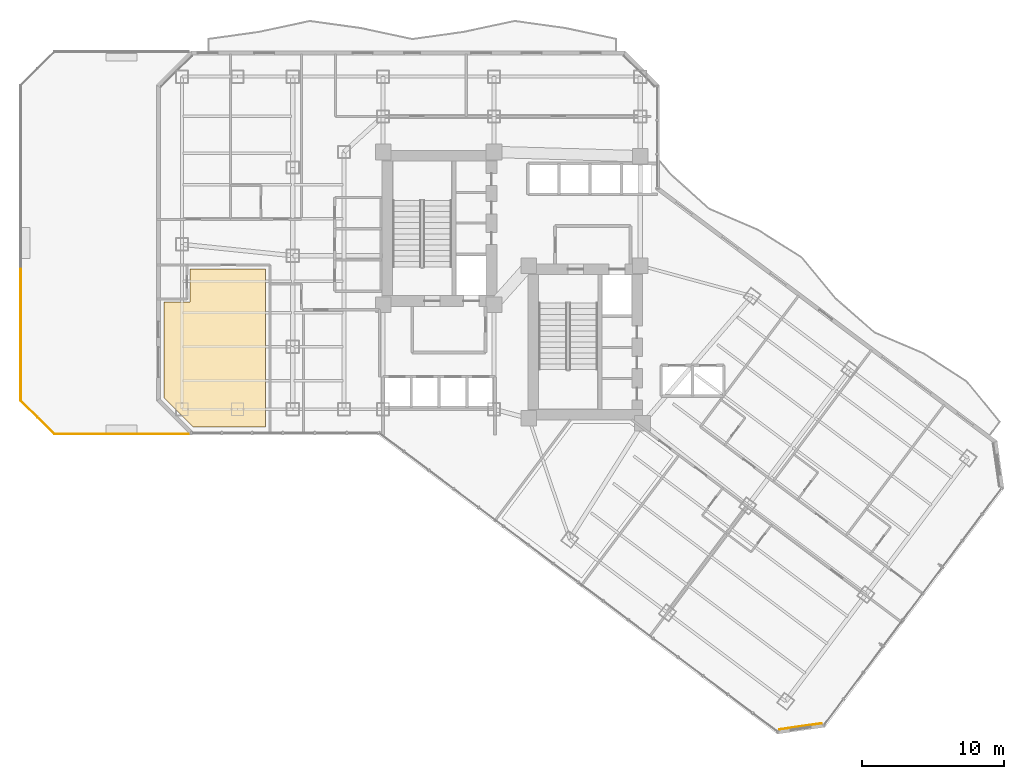
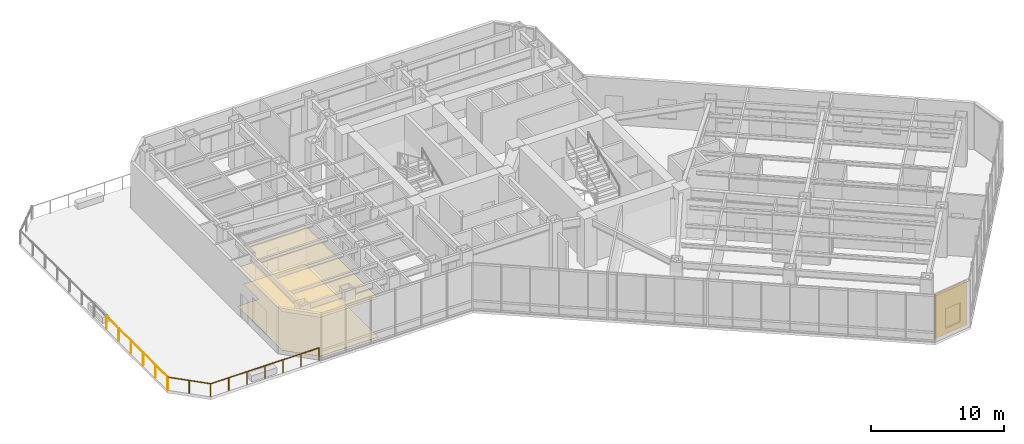
# One storey, part 22 of 27: 13 railings, 3 coverings.
"""IFC4 building model written with IfcOpenShell, lengths in metres."""

from ifc_helpers import new_model, si_unit, direction, frame, origin, origin_2d, place, context, subcontext, project, spatial, polyline, rectangle, circle, outline, extrude, material, layer, layer_set, type_object, element, save


model = new_model("IFC4")

# Units and contexts
model_context = context("Model", 3, precision=1e-05, world=origin(), true_north=direction((0.0, 1.0)))
body_context = subcontext(model_context, "Body", "Model", "MODEL_VIEW")
ifc_project = project(units=[si_unit("LENGTHUNIT", "METRE"), si_unit("AREAUNIT", "SQUARE_METRE"), si_unit("VOLUMEUNIT", "CUBIC_METRE"), si_unit("PLANEANGLEUNIT", "RADIAN"), si_unit("MASSUNIT", "GRAM", prefix="KILO")], contexts=[model_context])

# Site, building, storey
site_placement = place(None, origin())
site = spatial("IfcSite", under=ifc_project, at=site_placement, CompositionType="ELEMENT")
building_placement = place(site_placement, origin())
building = spatial("IfcBuilding", under=site, at=building_placement, Name="Hatsunagi Terrace Concourse", CompositionType="ELEMENT")
storey_placement = place(building_placement, frame((0.0, 0.0, 70.10009765625)))
storey = spatial("IfcBuildingStorey", under=building, at=storey_placement, Name="L18", CompositionType="ELEMENT", Elevation=70.10009765625)

# Covering
ifc_material_1 = material(Name="Hardwood timber", Category="wood")
ifc_layer_1 = layer(ifc_material_1, 0.014892578125)
ifc_layer_set_1 = layer_set([ifc_layer_1], Name="HardwoodTimberFlooring_15")
covering_type_1 = type_object("IfcCoveringType", Name="HardwoodTimberFlooring_15", PredefinedType="FLOORING", material=ifc_layer_set_1)
covering_1_placement = place(storey_placement, origin())
element("IfcCovering", 1, at=covering_1_placement, inside=storey, type_object=covering_type_1, Name="Finished Flooring L18-1", PredefinedType="FLOORING", context=body_context, shape_type="SweptSolid", body=[
    extrude(outline(polyline([(12.219970703125, 23.929931640625), (17.2900390625, 23.929931640625), (17.2900390625, 35.050048828125), (11.9580078125, 35.050048828125), (11.9560546875, 32.7451171875), (10.1298828125, 32.741943359375), (10.1298828125, 26.02001953125), (12.219970703125, 23.929931640625)])), origin(), (0.0, 0.0, 1.0), 0.014892578125),
])

# Railings
ifc_material_2 = material(Name="Stainless Steel SUS316 Post-and-Rail Guard", Category="steel")
ifc_layer_2 = layer(ifc_material_2, 0.080078125)
ifc_layer_set_2 = layer_set([ifc_layer_2], Name="TerracePlantedGuardRail_1200")
railing_type = type_object("IfcRailingType", Name="TerracePlantedGuardRail_1200", PredefinedType="GUARDRAIL", material=ifc_layer_set_2)
railing_1_placement = place(storey_placement, frame((11.862060546875, 23.449951171875, 0.039794921875)))
element("IfcRailing", 2, at=railing_1_placement, inside=storey, type_object=railing_type, Name="Sky Garden Guardrail GRD-02 TER-L18-1-1 #1", PredefinedType="GUARDRAIL", context=body_context, shape_type="SweptSolid", body=[
    extrude(circle(Radius=0.02392578125, at=origin_2d()), frame((0.0, 0.0, 1.17578125), z_axis=(-1.0, 0.0, 0.0), x_axis=(0.0, -1.0, 0.0)), (0.0, 0.0, 1.0), 1.569091796875),
    extrude(circle(Radius=0.02099609375, at=origin_2d()), origin(), (0.0, 0.0, 1.0), 1.15185546875),
    extrude(circle(Radius=0.02099609375, at=origin_2d()), frame((-1.569091796875, 0.0, 0.0)), (0.0, 0.0, 1.0), 1.15185546875),
])
railing_2_placement = place(storey_placement, frame((10.283935546875, 23.449951171875, 0.039794921875)))
element("IfcRailing", 3, at=railing_2_placement, inside=storey, type_object=railing_type, Name="Sky Garden Guardrail GRD-02 TER-L18-1-1 #2", PredefinedType="GUARDRAIL", context=body_context, shape_type="SweptSolid", body=[
    extrude(circle(Radius=0.02392578125, at=origin_2d()), frame((0.0, 0.0, 1.17578125), z_axis=(-1.0, 0.0, 0.0), x_axis=(0.0, -1.0, 0.0)), (0.0, 0.0, 1.0), 1.56494140625),
    extrude(circle(Radius=0.02099609375, at=origin_2d()), origin(), (0.0, 0.0, 1.0), 1.15185546875),
    extrude(circle(Radius=0.02099609375, at=origin_2d()), frame((-1.56494140625, 0.0, 0.0)), (0.0, 0.0, 1.0), 1.15185546875),
])
railing_3_placement = place(storey_placement, frame((8.7109375, 23.449951171875, 0.039794921875)))
element("IfcRailing", 4, at=railing_3_placement, inside=storey, type_object=railing_type, Name="Sky Garden Guardrail GRD-02 TER-L18-1-1 #3", PredefinedType="GUARDRAIL", context=body_context, shape_type="SweptSolid", body=[
    extrude(circle(Radius=0.02392578125, at=origin_2d()), frame((0.0, 0.0, 1.17578125), z_axis=(-1.0, 0.0, 0.0), x_axis=(0.0, -1.0, 0.0)), (0.0, 0.0, 1.0), 1.56591796875),
    extrude(circle(Radius=0.02099609375, at=origin_2d()), origin(), (0.0, 0.0, 1.0), 1.15185546875),
    extrude(circle(Radius=0.02099609375, at=origin_2d()), frame((-1.56591796875, 0.0, 0.0)), (0.0, 0.0, 1.0), 1.15185546875),
])
railing_4_placement = place(storey_placement, frame((7.136962890625, 23.449951171875, 0.039794921875)))
element("IfcRailing", 5, at=railing_4_placement, inside=storey, type_object=railing_type, Name="Sky Garden Guardrail GRD-02 TER-L18-1-1 #4", PredefinedType="GUARDRAIL", context=body_context, shape_type="SweptSolid", body=[
    extrude(circle(Radius=0.02392578125, at=origin_2d()), frame((0.0, 0.0, 1.17578125), z_axis=(-1.0, 0.0, 0.0), x_axis=(0.0, -1.0, 0.0)), (0.0, 0.0, 1.0), 1.56494140625),
    extrude(circle(Radius=0.02099609375, at=origin_2d()), origin(), (0.0, 0.0, 1.0), 1.15185546875),
    extrude(circle(Radius=0.02099609375, at=origin_2d()), frame((-1.56494140625, 0.0, 0.0)), (0.0, 0.0, 1.0), 1.15185546875),
])
railing_5_placement = place(storey_placement, frame((5.56396484375, 23.449951171875, 0.039794921875)))
element("IfcRailing", 6, at=railing_5_placement, inside=storey, type_object=railing_type, Name="Sky Garden Guardrail GRD-02 TER-L18-1-1 #5", PredefinedType="GUARDRAIL", context=body_context, shape_type="SweptSolid", body=[
    extrude(circle(Radius=0.02392578125, at=origin_2d()), frame((0.0, 0.0, 1.17578125), z_axis=(-1.0, 0.0, 0.0), x_axis=(0.0, -1.0, 0.0)), (0.0, 0.0, 1.0), 1.56591796875),
    extrude(circle(Radius=0.02099609375, at=origin_2d()), origin(), (0.0, 0.0, 1.0), 1.15185546875),
    extrude(circle(Radius=0.02099609375, at=origin_2d()), frame((-1.56591796875, 0.0, 0.0)), (0.0, 0.0, 1.0), 1.15185546875),
])
railing_6_placement = place(storey_placement, frame((3.989990234375, 23.449951171875, 0.039794921875)))
element("IfcRailing", 7, at=railing_6_placement, inside=storey, type_object=railing_type, Name="Sky Garden Guardrail GRD-02 TER-L18-1-1 #6", PredefinedType="GUARDRAIL", context=body_context, shape_type="SweptSolid", body=[
    extrude(circle(Radius=0.02392578125, at=origin_2d()), frame((0.0, 0.0, 1.17578125), z_axis=(-1.0, 0.0, 0.0), x_axis=(0.0, -1.0, 0.0)), (0.0, 0.0, 1.0), 1.569091796875),
    extrude(circle(Radius=0.02099609375, at=origin_2d()), origin(), (0.0, 0.0, 1.0), 1.15185546875),
    extrude(circle(Radius=0.02099609375, at=origin_2d()), frame((-1.569091796875, 0.0, 0.0)), (0.0, 0.0, 1.0), 1.15185546875),
])
for number, where, name in (
    (8, (2.4208984375, 23.449951171875, 0.039794921875), "Sky Garden Guardrail GRD-02 TER-L18-1-1 #7"),
    (9, (1.23291015625, 24.637939453125, 0.039794921875), "Sky Garden Guardrail GRD-02 TER-L18-1-1 #8"),
):
    element("IfcRailing", number, at=place(storey_placement, frame(where)), inside=storey, type_object=railing_type, Name=name, PredefinedType="GUARDRAIL", context=body_context, shape_type="SweptSolid", body=[
        extrude(circle(Radius=0.02392578125, at=origin_2d()), frame((0.0, 0.0, 1.17578125), z_axis=(-0.707033812116, 0.707179742728, 0.0), x_axis=(-0.707179742728, -0.707033812116, 0.0)), (0.0, 0.0, 1.0), 1.673095703125),
        extrude(circle(Radius=0.02099609375, at=origin_2d()), origin(), (0.0, 0.0, 1.0), 1.15185546875),
        extrude(circle(Radius=0.02099609375, at=origin_2d()), frame((-1.182861328125, 1.18310546875, 0.0)), (0.0, 0.0, 1.0), 1.15185546875),
    ])
railing_7_placement = place(storey_placement, frame((0.050048828125, 25.821044921875, 0.039794921875)))
element("IfcRailing", 10, at=railing_7_placement, inside=storey, type_object=railing_type, Name="Sky Garden Guardrail GRD-02 TER-L18-1-1 #9", PredefinedType="GUARDRAIL", context=body_context, shape_type="SweptSolid", body=[
    extrude(circle(Radius=0.02392578125, at=origin_2d()), frame((0.0, 0.0, 1.17578125), z_axis=(0.0, 1.0, 0.0), x_axis=(-1.0, 0.0, 0.0)), (0.0, 0.0, 1.0), 1.843017578125),
    extrude(circle(Radius=0.02099609375, at=origin_2d()), origin(), (0.0, 0.0, 1.0), 1.15185546875),
    extrude(circle(Radius=0.02099609375, at=origin_2d()), frame((0.0, 1.843017578125, 0.0)), (0.0, 0.0, 1.0), 1.15185546875),
])
railing_8_placement = place(storey_placement, frame((0.050048828125, 27.672119140625, 0.039794921875)))
element("IfcRailing", 11, at=railing_8_placement, inside=storey, type_object=railing_type, Name="Sky Garden Guardrail GRD-02 TER-L18-1-1 #10", PredefinedType="GUARDRAIL", context=body_context, shape_type="SweptSolid", body=[
    extrude(circle(Radius=0.02392578125, at=origin_2d()), frame((0.0, 0.0, 1.17578125), z_axis=(0.0, 1.0, 0.0), x_axis=(-1.0, 0.0, 0.0)), (0.0, 0.0, 1.0), 1.837890625),
    extrude(circle(Radius=0.02099609375, at=origin_2d()), origin(), (0.0, 0.0, 1.0), 1.15185546875),
    extrude(circle(Radius=0.02099609375, at=origin_2d()), frame((0.0, 1.837890625, 0.0)), (0.0, 0.0, 1.0), 1.15185546875),
])
for number, where, name in (
    (12, (0.050048828125, 29.51806640625, 0.039794921875), "Sky Garden Guardrail GRD-02 TER-L18-1-1 #11"),
    (13, (0.050048828125, 31.364013671875, 0.039794921875), "Sky Garden Guardrail GRD-02 TER-L18-1-1 #12"),
):
    element("IfcRailing", number, at=place(storey_placement, frame(where)), inside=storey, type_object=railing_type, Name=name, PredefinedType="GUARDRAIL", context=body_context, shape_type="SweptSolid", body=[
        extrude(circle(Radius=0.02392578125, at=origin_2d()), frame((0.0, 0.0, 1.17578125), z_axis=(0.0, 1.0, 0.0), x_axis=(-1.0, 0.0, 0.0)), (0.0, 0.0, 1.0), 1.8388671875),
        extrude(circle(Radius=0.02099609375, at=origin_2d()), origin(), (0.0, 0.0, 1.0), 1.15185546875),
        extrude(circle(Radius=0.02099609375, at=origin_2d()), frame((0.0, 1.8388671875, 0.0)), (0.0, 0.0, 1.0), 1.15185546875),
    ])
railing_9_placement = place(storey_placement, frame((0.050048828125, 33.2109375, 0.039794921875)))
element("IfcRailing", 14, at=railing_9_placement, inside=storey, type_object=railing_type, Name="Sky Garden Guardrail GRD-02 TER-L18-1-1 #13", PredefinedType="GUARDRAIL", context=body_context, shape_type="SweptSolid", body=[
    extrude(circle(Radius=0.02392578125, at=origin_2d()), frame((0.0, 0.0, 1.17578125), z_axis=(0.0, 1.0, 0.0), x_axis=(-1.0, 0.0, 0.0)), (0.0, 0.0, 1.0), 1.839111328125),
    extrude(circle(Radius=0.02099609375, at=origin_2d()), origin(), (0.0, 0.0, 1.0), 1.15185546875),
    extrude(circle(Radius=0.02099609375, at=origin_2d()), frame((0.0, 1.839111328125, 0.0)), (0.0, 0.0, 1.0), 1.15185546875),
])

# Coverings
ifc_material_3 = material(Name="Unglazed Warm Terracotta Rainscreen Tile", Category="masonry")
ifc_layer_3 = layer(ifc_material_3, 0.044921875)
ifc_layer_set_3 = layer_set([ifc_layer_3], Name="TerracottaRainscreenCladding_45")
covering_type_2 = type_object("IfcCoveringType", Name="TerracottaRainscreenCladding_45", PredefinedType="CLADDING", material=ifc_layer_set_3)
covering_2_placement = place(storey_placement, frame((54.91796875, 2.87890625, 0.099853515625), z_axis=(0.0, 0.0, 1.0), x_axis=(-0.989973920543, -0.141250262458, 0.0)))
element("IfcCovering", 15, at=covering_2_placement, inside=storey, type_object=covering_type_2, Name="Terracotta Rainscreen Cladding L18-04", PredefinedType="CLADDING", context=body_context, shape_type="SweptSolid", body=[
    extrude(rectangle(XDim=3.0380859375, YDim=0.044921875, at=origin_2d()), origin(), (0.0, 0.0, 1.0), 4.080078125),
])
ifc_material_4 = material(Name="Hardwood timber", Category="wood")
ifc_layer_4 = layer(ifc_material_4, 0.034912109375)
ifc_layer_set_4 = layer_set([ifc_layer_4], Name="TimberBaffleCeiling_35")
covering_type_3 = type_object("IfcCoveringType", Name="TimberBaffleCeiling_35", PredefinedType="CEILING", material=ifc_layer_set_4)
covering_3_placement = place(storey_placement, frame((0.0, 0.0, 3.559814453125)))
element("IfcCovering", 16, at=covering_3_placement, inside=storey, type_object=covering_type_3, Name="Suspended Ceiling L18-1", PredefinedType="CEILING", context=body_context, shape_type="SweptSolid", body=[
    extrude(outline(polyline([(12.219970703125, 23.929931640625), (17.2900390625, 23.929931640625), (17.2900390625, 35.050048828125), (11.9580078125, 35.050048828125), (11.9560546875, 32.7451171875), (10.1298828125, 32.741943359375), (10.1298828125, 26.02001953125), (12.219970703125, 23.929931640625)])), origin(), (0.0, 0.0, 1.0), 0.03515625),
])

save(model, "model.ifc")
